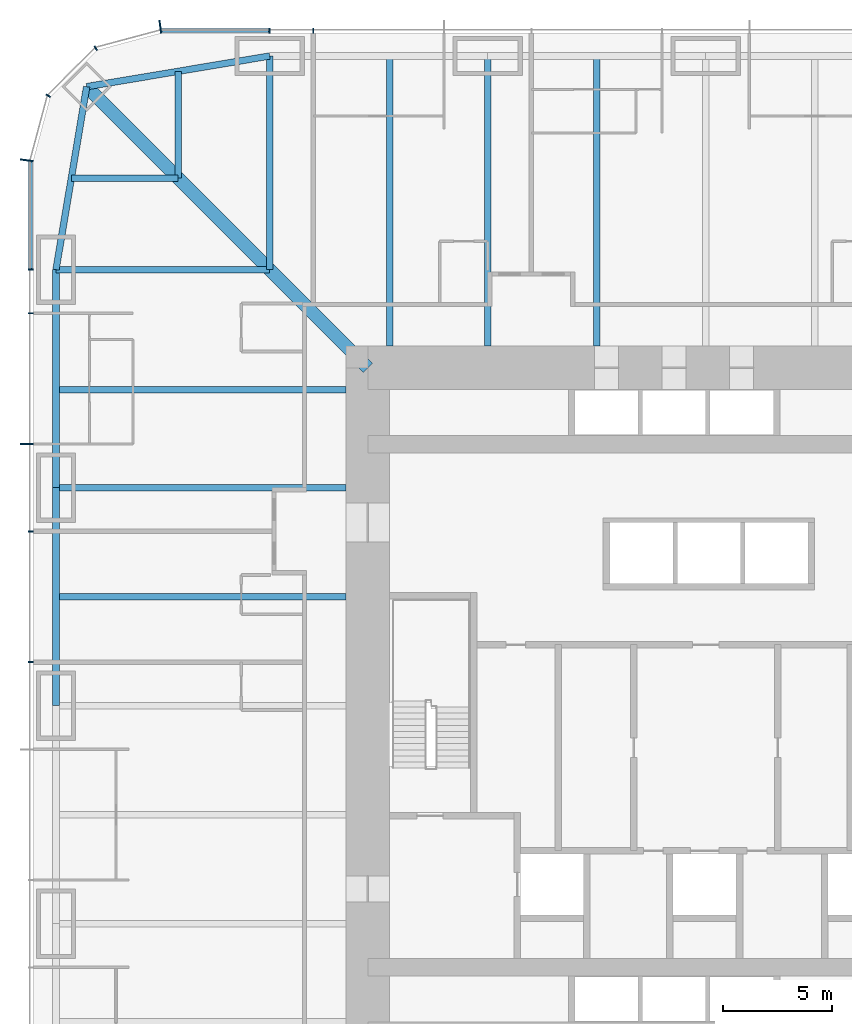
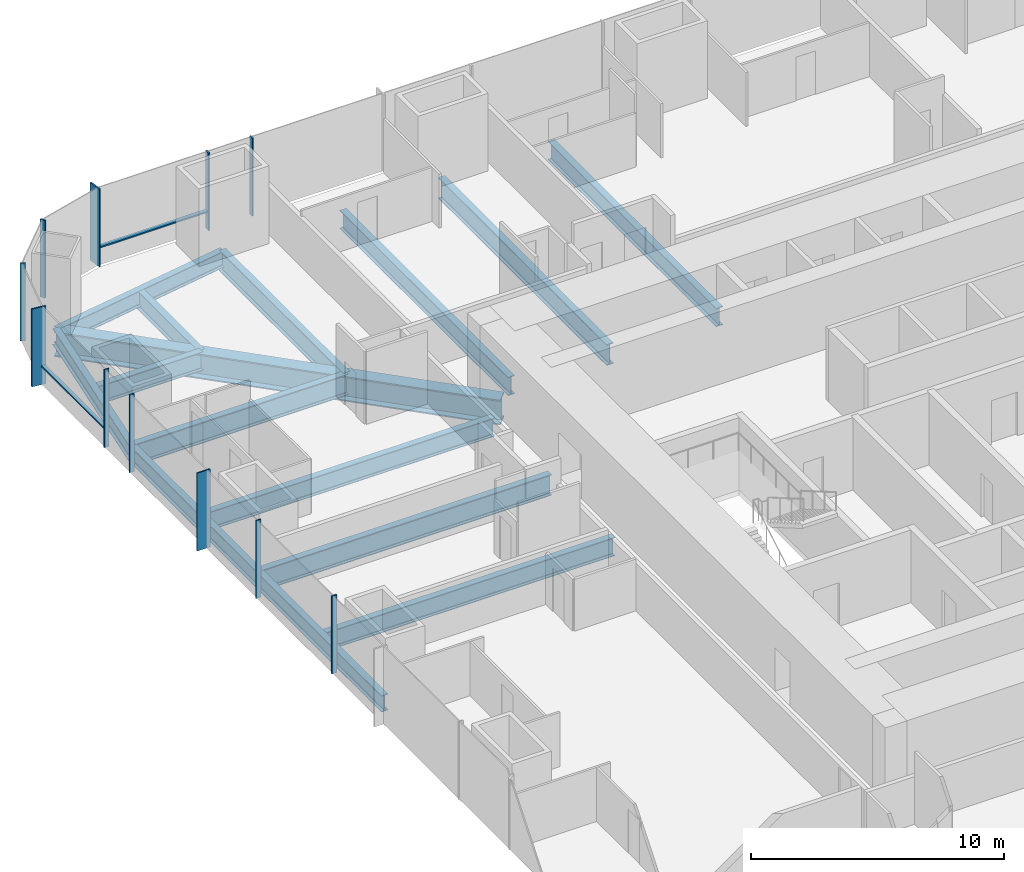
# One storey, part 6 of 17: 15 beams, 13 members, 3 elements without a shape of their own.
"""IFC4 building model written with IfcOpenShell, lengths in metres."""

import ifcopenshell
import ifcopenshell.guid

model = None  # the IFC model being written
_history = None  # IfcOwnerHistory: only IFC2X3 demands one
_inside = {}  # id of a spatial element -> (the spatial element, [elements in it])
_under = {}  # id of a project, library or spatial element -> (it, [spatial elements below it])
_declared = {}  # id of a project -> (the project, [libraries it declares])
_typed = {}  # id of a type object -> (the type object, [elements of that type])
_made_of = {}  # id of a material, layer set ... -> (it, [elements and type objects made of it])


def new_model(schema):
    """Start an empty IFC model of exactly this schema.

    Asked for "IFC4X3", IfcOpenShell would pick the latest addendum, in which some entities
    have other attributes; the version numbers below select the first issue.
    IFC2X3 requires an IfcOwnerHistory on every rooted entity: one is made here for all.
    """
    global model, _history
    if schema == "IFC4X3":
        model = ifcopenshell.file(schema_version=(4, 3, 0, 0))
    else:
        model = ifcopenshell.file(schema=schema)
    _inside.clear()
    _under.clear()
    _declared.clear()
    _typed.clear()
    _made_of.clear()
    _history = None
    if model.schema == "IFC2X3":
        org = make("IfcOrganization", Name="unknown")
        user = make(
            "IfcPersonAndOrganization",
            ThePerson=make("IfcPerson", FamilyName="unknown"),
            TheOrganization=org,
        )
        app = make(
            "IfcApplication",
            ApplicationDeveloper=org,
            Version="unknown",
            ApplicationFullName="unknown",
            ApplicationIdentifier="unknown",
        )
        _history = make(
            "IfcOwnerHistory",
            OwningUser=user,
            OwningApplication=app,
            ChangeAction="ADDED",
            CreationDate=0,
        )
    return model


def make(cls, **values):
    """One entity of the class cls with the attributes given. An attribute that is None is left unset."""
    return model.create_entity(
        cls, **{name: value for name, value in values.items() if value is not None}
    )


def rooted(cls, **values):
    """An entity with a GlobalId (a new one), such as an element, a storey or a relation."""
    return make(cls, GlobalId=ifcopenshell.guid.new(), OwnerHistory=_history, **values)


def si_unit(unit_type, name, prefix=None):
    """IfcSIUnit, for example si_unit("LENGTHUNIT", "METRE", prefix="MILLI")."""
    return make("IfcSIUnit", UnitType=unit_type, Prefix=prefix, Name=name)


def assignment(units):
    """IfcUnitAssignment: the units of a project."""
    return None if units is None else make("IfcUnitAssignment", Units=units)


def point(xyz):
    """IfcCartesianPoint."""
    return None if xyz is None else make("IfcCartesianPoint", Coordinates=xyz)


def direction(xyz):
    """IfcDirection."""
    return None if xyz is None else make("IfcDirection", DirectionRatios=xyz)


def frame(location, z_axis=None, x_axis=None):
    """IfcAxis2Placement3D, a coordinate frame: its origin and axes. An axis left out is left unset."""
    return make(
        "IfcAxis2Placement3D",
        Location=point(location),
        Axis=direction(z_axis),
        RefDirection=direction(x_axis),
    )


def frame_2d(location, x_axis=None):
    """IfcAxis2Placement2D, a coordinate frame in the plane: its origin and x axis."""
    return make(
        "IfcAxis2Placement2D", Location=point(location), RefDirection=direction(x_axis)
    )


def origin():
    """The frame at (0, 0, 0) with its axes left unset."""
    return frame((0.0, 0.0, 0.0))


def origin_2d():
    """The frame at (0, 0) in the plane with its x axis left unset."""
    return frame_2d((0.0, 0.0))


def place(relative_to, where):
    """IfcLocalPlacement: puts the frame where relative to a parent placement (None: the world)."""
    return make(
        "IfcLocalPlacement", PlacementRelTo=relative_to, RelativePlacement=where
    )


def context(
    kind, dimensions, precision=None, world=None, true_north=None, identifier=None
):
    """IfcGeometricRepresentationContext, for example the 3D "Model" context."""
    return make(
        "IfcGeometricRepresentationContext",
        ContextIdentifier=identifier,
        ContextType=kind,
        CoordinateSpaceDimension=dimensions,
        Precision=precision,
        WorldCoordinateSystem=world,
        TrueNorth=true_north,
    )


def subcontext(parent, identifier, kind, view, scale=None):
    """IfcGeometricRepresentationSubContext, for example "Body" below "Model"."""
    return make(
        "IfcGeometricRepresentationSubContext",
        ContextIdentifier=identifier,
        ContextType=kind,
        ParentContext=parent,
        TargetScale=scale,
        TargetView=view,
    )


def project(units=None, contexts=None):
    """IfcProject with its units and contexts."""
    return rooted(
        "IfcProject",
        Name="project",
        RepresentationContexts=contexts,
        UnitsInContext=assignment(units),
    )


def spatial(cls, under=None, at=None, **own):
    """A site, building, storey or space (cls), placed at a placement, below another one or the project."""
    s = rooted(cls, ObjectPlacement=at, **own)
    if under is not None:
        _under.setdefault(under.id(), (under, []))[1].append(s)
    return s


def profile(cls, at=None, kind="AREA", **sizes):
    """A parametric profile (cls). Its sizes go by their IFC names, for example OverallWidth=200.0."""
    return make(cls, ProfileType=kind, Position=at, **sizes)


def rectangle(**sizes):
    """IfcRectangleProfileDef."""
    return profile("IfcRectangleProfileDef", **sizes)


def i_section(**sizes):
    """IfcIShapeProfileDef."""
    return profile("IfcIShapeProfileDef", **sizes)


def extrude(swept, where, along, depth):
    """IfcExtrudedAreaSolid: the profile swept, set in the frame where, extruded along a direction by depth."""
    return make(
        "IfcExtrudedAreaSolid",
        SweptArea=swept,
        Position=where,
        ExtrudedDirection=direction(along),
        Depth=depth,
    )


def shape(context_of_items, identifier, shape_type, items):
    """IfcShapeRepresentation: the items that make up one representation, for example the "Body"."""
    return make(
        "IfcShapeRepresentation",
        ContextOfItems=context_of_items,
        RepresentationIdentifier=identifier,
        RepresentationType=shape_type,
        Items=items,
    )


def material(Name=None, Category=None):
    """IfcMaterial."""
    return make("IfcMaterial", Name=Name, Category=Category)


def material_profile(
    of_material, cross_section, Name=None, Category=None, Priority=None
):
    """IfcMaterialProfile: a cross section and its material."""
    return make(
        "IfcMaterialProfile",
        Name=Name,
        Material=of_material,
        Profile=cross_section,
        Priority=Priority,
        Category=Category,
    )


def profile_set(profiles, Name=None, composite=None):
    """IfcMaterialProfileSet."""
    return make(
        "IfcMaterialProfileSet",
        Name=Name,
        MaterialProfiles=profiles,
        CompositeProfile=composite,
    )


def made_of(thing, what):
    """Note that an element or type object is made of a material, layer set ...; save() writes the relation."""
    if what is not None:
        _made_of.setdefault(what.id(), (what, []))[1].append(thing)
    return thing


def type_object(cls, material=None, **own):
    """A type object (cls), such as IfcWallType, which elements share."""
    return made_of(rooted(cls, **own), material)


def element(
    cls,
    number,
    at=None,
    inside=None,
    cuts=None,
    type_object=None,
    material=None,
    context=None,
    identifier="Body",
    shape_type=None,
    held_by="IfcProductDefinitionShape",
    body=None,
    shapes=None,
    **own,
):
    """One element of the class cls, such as IfcWall. Its Tag is "e" and its number.

    at: its placement. inside: the storey or other place that contains it. cuts: it is an
    opening in that element (IfcRelVoidsElement). A single representation is given by context,
    identifier, shape_type and body (its items); several are given by shapes. held_by: the class
    of the entity that holds the representations. save() writes the other relations.
    """
    e = rooted(cls, Tag="e%d" % number, ObjectPlacement=at, **own)
    if body is not None:
        shapes = [shape(context, identifier, shape_type, body)]
    if shapes is not None:
        e.Representation = make(held_by, Representations=shapes)
    if inside is not None:
        _inside.setdefault(inside.id(), (inside, []))[1].append(e)
    if cuts is not None:
        rooted(
            "IfcRelVoidsElement", RelatingBuildingElement=cuts, RelatedOpeningElement=e
        )
    if type_object is not None:
        _typed.setdefault(type_object.id(), (type_object, []))[1].append(e)
    return made_of(e, material)


def aggregate(whole, parts):
    """IfcRelAggregates: a whole, such as a stair, and the parts it consists of."""
    return rooted("IfcRelAggregates", RelatingObject=whole, RelatedObjects=parts)


def save(model, path):
    """Write the relations noted so far, then the file.

    IfcRelAggregates (storeys below a building ...), IfcRelContainedInSpatialStructure (elements
    in a storey), IfcRelDefinesByType, IfcRelAssociatesMaterial and IfcRelDeclares: one each for
    every whole, place, type object, material and project.
    """
    for whole, parts in _under.values():
        aggregate(whole, parts)
    for where, things in _inside.values():
        rooted(
            "IfcRelContainedInSpatialStructure",
            RelatedElements=things,
            RelatingStructure=where,
        )
    for kind, things in _typed.values():
        rooted("IfcRelDefinesByType", RelatedObjects=things, RelatingType=kind)
    for what, things in _made_of.values():
        rooted("IfcRelAssociatesMaterial", RelatedObjects=things, RelatingMaterial=what)
    for by, libraries in _declared.values():
        rooted("IfcRelDeclares", RelatingContext=by, RelatedDefinitions=libraries)
    model.write(path)


model = new_model("IFC4")

# Units and contexts
model_context = context("Model", 3, precision=1e-05, world=origin(), true_north=direction((0.0, 1.0)))
body_context = subcontext(model_context, "Body", "Model", "MODEL_VIEW")
ifc_project = project(units=[si_unit("LENGTHUNIT", "METRE"), si_unit("AREAUNIT", "SQUARE_METRE"), si_unit("VOLUMEUNIT", "CUBIC_METRE"), si_unit("PLANEANGLEUNIT", "RADIAN"), si_unit("MASSUNIT", "GRAM", prefix="KILO")], contexts=[model_context])

# Site, building, storey
site_placement = place(None, origin())
site = spatial("IfcSite", under=ifc_project, at=site_placement, CompositionType="ELEMENT")
building_placement = place(site_placement, origin())
building = spatial("IfcBuilding", under=site, at=building_placement, Name="Khuree Lantern Residences", CompositionType="ELEMENT")
storey_placement = place(building_placement, frame((0.0, 0.0, 92.25)))
storey = spatial("IfcBuildingStorey", under=building, at=storey_placement, Name="L23", CompositionType="ELEMENT", Elevation=92.25)

# Beams
ifc_material_1 = material(Name="Steel S355", Category="steel")
ifc_material_profile_1 = material_profile(ifc_material_1, i_section(OverallWidth=0.300048828125, OverallDepth=0.889892578125, WebThickness=0.01611328125, FlangeThickness=0.030029296875, FilletRadius=0.030029296875, at=origin_2d()), Name="HE 900 A")
ifc_profile_set_1 = profile_set([ifc_material_profile_1], Name="Steel S355")
beam_type_1 = type_object("IfcBeamType", Name="B-15 SECONDARY BEAM HE 900 A", PredefinedType="BEAM", material=ifc_profile_set_1)
for number, where, z_axis, x_axis, name in (
    (1, (-14.5, 29.800048828125, -0.695068359375), (0.0, -1.0, 0.0), (1.0, 0.0, 0.0), "Secondary beam N1"),
    (2, (-5.0, 29.800048828125, -0.695068359375), (0.0, -1.0, 0.0), (1.0, 0.0, 0.0), "Secondary beam N2"),
    (3, (-29.800048828125, 5.0, -0.695068359375), (1.0, 0.0, 0.0), (0.0, 1.0, 0.0), "Secondary beam W4"),
    (4, (-29.800048828125, 14.5, -0.695068359375), (1.0, 0.0, 0.0), (0.0, 1.0, 0.0), "Secondary beam W5"),
):
    element("IfcBeam", number, at=place(storey_placement, frame(where, z_axis=z_axis, x_axis=x_axis)), inside=storey, type_object=beam_type_1, Name=name, PredefinedType="BEAM", context=body_context, shape_type="SweptSolid", body=[
        extrude(i_section(OverallWidth=0.300048828125, OverallDepth=0.889892578125, WebThickness=0.01611328125, FlangeThickness=0.030029296875, FilletRadius=0.030029296875, at=origin_2d()), origin(), (0.0, 0.0, 1.0), 13.300048828125),
    ])
for number, where, z_axis, x_axis, name in (
    (5, (-29.09716796875, 24.197021484375, -0.695068359375), (1.0, 0.0, 0.0), (0.0, 1.0, 0.0), "Secondary beam W6"),
    (6, (-24.197021484375, 29.09716796875, -0.695068359375), (0.0, -1.0, 0.0), (1.0, 0.0, 0.0), "Secondary beam N6"),
):
    element("IfcBeam", number, at=place(storey_placement, frame(where, z_axis=z_axis, x_axis=x_axis)), inside=storey, type_object=beam_type_1, Name=name, PredefinedType="BEAM", context=body_context, shape_type="SweptSolid", body=[
        extrude(i_section(OverallWidth=0.300048828125, OverallDepth=0.889892578125, WebThickness=0.01611328125, FlangeThickness=0.030029296875, FilletRadius=0.030029296875, at=origin_2d()), origin(), (0.0, 0.0, 1.0), 4.900146484375),
    ])
ifc_material_profile_2 = material_profile(ifc_material_1, i_section(OverallWidth=0.300048828125, OverallDepth=0.7900390625, WebThickness=0.014892578125, FlangeThickness=0.028076171875, FilletRadius=0.030029296875, at=origin_2d()), Name="HE 800 A")
ifc_profile_set_2 = profile_set([ifc_material_profile_2], Name="Steel S355")
beam_type_2 = type_object("IfcBeamType", Name="E-15 SPANDREL BEAM HE 800 A", PredefinedType="SPANDREL", material=ifc_profile_set_2)
for number, where, z_axis, x_axis, name in (
    (7, (-29.800048828125, 0.0, -0.64501953125), (0.0, 1.0, 0.0), (-1.0, 0.0, 0.0), "Spandrel beam W4"),
    (8, (-29.800048828125, 10.0, -0.64501953125), (0.0, 1.0, 0.0), (-1.0, 0.0, 0.0), "Spandrel beam W5"),
):
    element("IfcBeam", number, at=place(storey_placement, frame(where, z_axis=z_axis, x_axis=x_axis)), inside=storey, type_object=beam_type_2, Name=name, PredefinedType="SPANDREL", context=body_context, shape_type="SweptSolid", body=[
        extrude(i_section(OverallWidth=0.300048828125, OverallDepth=0.7900390625, WebThickness=0.014892578125, FlangeThickness=0.028076171875, FilletRadius=0.030029296875, at=origin_2d()), origin(), (0.0, 0.0, 1.0), 10.0),
    ])
for number, where, z_axis, x_axis, name in (
    (9, (-29.800048828125, 20.0, -0.64501953125), (0.165199022349, 0.986260251158, 0.0), (-0.986260251158, 0.165199022349, 0.0), "Spandrel beam W6"),
    (10, (-28.39404296875, 28.39404296875, -0.64501953125), (0.986260251158, 0.165199022349, 0.0), (-0.165199022349, 0.986260251158, 0.0), "Spandrel beam N6"),
):
    element("IfcBeam", number, at=place(storey_placement, frame(where, z_axis=z_axis, x_axis=x_axis)), inside=storey, type_object=beam_type_2, Name=name, PredefinedType="SPANDREL", context=body_context, shape_type="SweptSolid", body=[
        extrude(i_section(OverallWidth=0.300048828125, OverallDepth=0.7900390625, WebThickness=0.014892578125, FlangeThickness=0.028076171875, FilletRadius=0.030029296875, at=origin_2d()), origin(), (0.0, 0.0, 1.0), 8.510986328125),
    ])

# Curtain wall, member
ifc_material_2 = material(Name="Bronze anodised aluminium", Category="aluminium")
curtain_wall_type_1 = type_object("IfcCurtainWallType", Name="CW-T2 TOWER CORNER CURTAIN WALL", PredefinedType="USERDEFINED", material=ifc_material_2)
curtain_wall_1_placement = place(storey_placement, origin())
curtain_wall_1 = element("IfcCurtainWall", 11, at=curtain_wall_1_placement, inside=storey, type_object=curtain_wall_type_1, Name="L23 NORTH-WEST CORNER CURTAIN WALL", ObjectType="Faceted corner curtain wall", PredefinedType="USERDEFINED")
ifc_material_profile_3 = material_profile(ifc_material_2, rectangle(XDim=0.06494140625, YDim=0.60009765625, at=origin_2d()), Name="F1 65X600")
ifc_profile_set_3 = profile_set([ifc_material_profile_3], Name="Bronze anodised aluminium")
member_type_1 = type_object("IfcMemberType", Name="F1 BRONZE FIN MULLION TOWER 65X600", PredefinedType="MULLION", material=ifc_profile_set_3)
member_1_placement = place(storey_placement, frame((-25.019775390625, 31.150146484375, 0.0), z_axis=(0.0, 0.0, 1.0), x_axis=(-0.991444852794, -0.130526257387, 0.0)))
member_1 = element("IfcMember", 12, at=member_1_placement, type_object=member_type_1, Name="L23 NORTH-WEST CORNER FIN MULLION 29", PredefinedType="MULLION", context=body_context, shape_type="SweptSolid", body=[
    extrude(rectangle(XDim=0.06494140625, YDim=0.60009765625, at=origin_2d()), origin(), (0.0, 0.0, 1.0), 3.75),
])

# Curtain wall, members
curtain_wall_type_2 = type_object("IfcCurtainWallType", Name="CW-T1 TOWER FACE CURTAIN WALL", PredefinedType="USERDEFINED", material=ifc_material_2)
curtain_wall_2_placement = place(storey_placement, origin())
curtain_wall_2 = element("IfcCurtainWall", 13, at=curtain_wall_2_placement, inside=storey, type_object=curtain_wall_type_2, Name="L23 WEST FACE CURTAIN WALL", ObjectType="Stick-built curtain wall", PredefinedType="USERDEFINED")
member_2_placement = place(storey_placement, frame((-31.150146484375, 25.019775390625, 0.0), z_axis=(0.0, 0.0, 1.0), x_axis=(-0.130526257387, -0.991444852794, 0.0)))
member_2 = element("IfcMember", 14, at=member_2_placement, type_object=member_type_1, Name="L23 WEST FACE FIN MULLION 32", PredefinedType="MULLION", context=body_context, shape_type="SweptSolid", body=[
    extrude(rectangle(XDim=0.06494140625, YDim=0.60009765625, at=origin_2d()), origin(), (0.0, 0.0, 1.0), 3.75),
])
member_3_placement = place(storey_placement, frame((-31.14990234375, 12.0, 0.0), z_axis=(0.0, 0.0, 1.0), x_axis=(0.0, -1.0, 0.0)))
member_3 = element("IfcMember", 15, at=member_3_placement, type_object=member_type_1, Name="L23 WEST FACE FIN MULLION 35", PredefinedType="MULLION", context=body_context, shape_type="SweptSolid", body=[
    extrude(rectangle(XDim=0.06494140625, YDim=0.60009765625, at=origin_2d()), origin(), (0.0, 0.0, 1.0), 3.75),
])

# Beams
ifc_material_profile_4 = material_profile(ifc_material_1, i_section(OverallWidth=0.302001953125, OverallDepth=1.008056640625, WebThickness=0.02099609375, FlangeThickness=0.0400390625, FilletRadius=0.030029296875, at=origin_2d()), Name="HE 1000 M")
ifc_profile_set_4 = profile_set([ifc_material_profile_4], Name="Steel S355")
beam_type_3 = type_object("IfcBeamType", Name="G-15 GIRDER HE 1000 M", PredefinedType="BEAM", material=ifc_profile_set_4)
beam_1_placement = place(storey_placement, frame((-20.0, 29.800048828125, -0.75390625), z_axis=(0.0, -1.0, 0.0), x_axis=(1.0, 0.0, 0.0)))
element("IfcBeam", 16, at=beam_1_placement, inside=storey, type_object=beam_type_3, Name="Girder N1", PredefinedType="BEAM", context=body_context, shape_type="SweptSolid", body=[
    extrude(i_section(OverallWidth=0.302001953125, OverallDepth=1.008056640625, WebThickness=0.02099609375, FlangeThickness=0.0400390625, FilletRadius=0.030029296875, at=origin_2d()), origin(), (0.0, 0.0, 1.0), 9.800048828125),
])
for number, where, z_axis, x_axis, name in (
    (17, (-10.0, 29.800048828125, -0.75390625), (0.0, -1.0, 0.0), (1.0, 0.0, 0.0), "Girder N2"),
    (18, (-29.800048828125, 10.0, -0.75390625), (1.0, 0.0, 0.0), (0.0, 1.0, 0.0), "Girder W4"),
):
    element("IfcBeam", number, at=place(storey_placement, frame(where, z_axis=z_axis, x_axis=x_axis)), inside=storey, type_object=beam_type_3, Name=name, PredefinedType="BEAM", context=body_context, shape_type="SweptSolid", body=[
        extrude(i_section(OverallWidth=0.302001953125, OverallDepth=1.008056640625, WebThickness=0.02099609375, FlangeThickness=0.0400390625, FilletRadius=0.030029296875, at=origin_2d()), origin(), (0.0, 0.0, 1.0), 13.300048828125),
    ])
beam_2_placement = place(storey_placement, frame((-29.800048828125, 20.0, -0.75390625), z_axis=(1.0, 0.0, 0.0), x_axis=(0.0, 1.0, 0.0)))
element("IfcBeam", 19, at=beam_2_placement, inside=storey, type_object=beam_type_3, Name="Girder W5", PredefinedType="BEAM", context=body_context, shape_type="SweptSolid", body=[
    extrude(i_section(OverallWidth=0.302001953125, OverallDepth=1.008056640625, WebThickness=0.02099609375, FlangeThickness=0.0400390625, FilletRadius=0.030029296875, at=origin_2d()), origin(), (0.0, 0.0, 1.0), 9.800048828125),
])
ifc_material_profile_5 = material_profile(ifc_material_1, i_section(OverallWidth=0.60009765625, OverallDepth=1.199951171875, WebThickness=0.030029296875, FlangeThickness=0.06005859375, at=origin_2d()), Name="WELDED I 1200X600X30X60")
ifc_profile_set_5 = profile_set([ifc_material_profile_5], Name="Steel S355")
beam_type_4 = type_object("IfcBeamType", Name="GD-15 CORNER GIRDER WELDED I 1200X600X30X60", PredefinedType="BEAM", material=ifc_profile_set_5)
beam_3_placement = place(storey_placement, frame((-28.39404296875, 28.39404296875, -0.85009765625), z_axis=(0.707106781187, -0.707106781187, 0.0), x_axis=(0.707106781187, 0.707106781187, 0.0)))
element("IfcBeam", 20, at=beam_3_placement, inside=storey, type_object=beam_type_4, Name="Corner girder NW", PredefinedType="BEAM", context=body_context, shape_type="SweptSolid", body=[
    extrude(i_section(OverallWidth=0.60009765625, OverallDepth=1.199951171875, WebThickness=0.030029296875, FlangeThickness=0.06005859375, at=origin_2d()), origin(), (0.0, 0.0, 1.0), 18.23486328125),
])

# Curtain wall, members
curtain_wall_3_placement = place(storey_placement, origin())
curtain_wall_3 = element("IfcCurtainWall", 21, at=curtain_wall_3_placement, inside=storey, type_object=curtain_wall_type_2, Name="L23 NORTH FACE CURTAIN WALL", ObjectType="Stick-built curtain wall", PredefinedType="USERDEFINED")
ifc_material_profile_6 = material_profile(ifc_material_2, rectangle(XDim=0.06494140625, YDim=0.219970703125, at=origin_2d()), Name="M1 65X220")
ifc_profile_set_6 = profile_set([ifc_material_profile_6], Name="Bronze anodised aluminium")
member_type_2 = type_object("IfcMemberType", Name="M1 BRONZE MULLION TOWER 65X220", PredefinedType="MULLION", material=ifc_profile_set_6)
member_4_placement = place(storey_placement, frame((-18.0, 30.9599609375, 0.0), z_axis=(0.0, 0.0, 1.0), x_axis=(-1.0, 0.0, 0.0)))
member_4 = element("IfcMember", 22, at=member_4_placement, type_object=member_type_2, Name="L23 NORTH FACE MULLION 27", PredefinedType="MULLION", context=body_context, shape_type="SweptSolid", body=[
    extrude(rectangle(XDim=0.06494140625, YDim=0.219970703125, at=origin_2d()), origin(), (0.0, 0.0, 1.0), 3.75),
])
member_5_placement = place(storey_placement, frame((-20.0, 30.9599609375, 0.0), z_axis=(0.0, 0.0, 1.0), x_axis=(-1.0, 0.0, 0.0)))
member_5 = element("IfcMember", 23, at=member_5_placement, type_object=member_type_2, Name="L23 NORTH FACE MULLION 28", PredefinedType="MULLION", context=body_context, shape_type="SweptSolid", body=[
    extrude(rectangle(XDim=0.06494140625, YDim=0.219970703125, at=origin_2d()), origin(), (0.0, 0.0, 1.0), 3.75),
])

# Member
member_6_placement = place(storey_placement, frame((-27.97998046875, 30.16162109375, 0.0), z_axis=(0.0, 0.0, 1.0), x_axis=(-0.86602537092, -0.500000056923, 0.0)))
member_6 = element("IfcMember", 24, at=member_6_placement, type_object=member_type_2, Name="L23 NORTH-WEST CORNER MULLION 30", PredefinedType="MULLION", context=body_context, shape_type="SweptSolid", body=[
    extrude(rectangle(XDim=0.06494140625, YDim=0.219970703125, at=origin_2d()), origin(), (0.0, 0.0, 1.0), 3.75),
])

member_7_placement = place(storey_placement, frame((-30.16162109375, 27.97998046875, 0.0), z_axis=(0.0, 0.0, 1.0), x_axis=(-0.500000056923, -0.86602537092, 0.0)))
member_7 = element("IfcMember", 25, at=member_7_placement, type_object=member_type_2, Name="L23 NORTH-WEST CORNER MULLION 31", PredefinedType="MULLION", context=body_context, shape_type="SweptSolid", body=[
    extrude(rectangle(XDim=0.06494140625, YDim=0.219970703125, at=origin_2d()), origin(), (0.0, 0.0, 1.0), 3.75),
])

aggregate(curtain_wall_1, [member_1, member_6, member_7])

member_8_placement = place(storey_placement, frame((-30.9599609375, 20.0, 0.0), z_axis=(0.0, 0.0, 1.0), x_axis=(0.0, -1.0, 0.0)))
member_8 = element("IfcMember", 26, at=member_8_placement, type_object=member_type_2, Name="L23 WEST FACE MULLION 33", PredefinedType="MULLION", context=body_context, shape_type="SweptSolid", body=[
    extrude(rectangle(XDim=0.06494140625, YDim=0.219970703125, at=origin_2d()), origin(), (0.0, 0.0, 1.0), 3.75),
])

member_9_placement = place(storey_placement, frame((-30.9599609375, 18.0, 0.0), z_axis=(0.0, 0.0, 1.0), x_axis=(0.0, -1.0, 0.0)))
member_9 = element("IfcMember", 27, at=member_9_placement, type_object=member_type_2, Name="L23 WEST FACE MULLION 34", PredefinedType="MULLION", context=body_context, shape_type="SweptSolid", body=[
    extrude(rectangle(XDim=0.06494140625, YDim=0.219970703125, at=origin_2d()), origin(), (0.0, 0.0, 1.0), 3.75),
])

member_10_placement = place(storey_placement, frame((-30.9599609375, 8.0, 0.0), z_axis=(0.0, 0.0, 1.0), x_axis=(0.0, -1.0, 0.0)))
member_10 = element("IfcMember", 28, at=member_10_placement, type_object=member_type_2, Name="L23 WEST FACE MULLION 36", PredefinedType="MULLION", context=body_context, shape_type="SweptSolid", body=[
    extrude(rectangle(XDim=0.06494140625, YDim=0.219970703125, at=origin_2d()), origin(), (0.0, 0.0, 1.0), 3.75),
])

member_11_placement = place(storey_placement, frame((-30.9599609375, 2.0, 0.0), z_axis=(0.0, 0.0, 1.0), x_axis=(0.0, -1.0, 0.0)))
member_11 = element("IfcMember", 29, at=member_11_placement, type_object=member_type_2, Name="L23 WEST FACE MULLION 37", PredefinedType="MULLION", context=body_context, shape_type="SweptSolid", body=[
    extrude(rectangle(XDim=0.06494140625, YDim=0.219970703125, at=origin_2d()), origin(), (0.0, 0.0, 1.0), 3.75),
])

ifc_material_profile_7 = material_profile(ifc_material_2, rectangle(XDim=0.179931640625, YDim=0.06494140625, at=origin_2d()), Name="T1 180X65")
ifc_profile_set_7 = profile_set([ifc_material_profile_7], Name="Bronze anodised aluminium")
member_type_3 = type_object("IfcMemberType", Name="TRANSOM T1 TOWER 180X65", PredefinedType="USERDEFINED", material=ifc_profile_set_7)
member_12_placement = place(storey_placement, frame((-20.032470703125, 30.969970703125, 0.89990234375), z_axis=(-1.0, 0.0, 0.0), x_axis=(0.0, -1.0, 0.0)))
member_12 = element("IfcMember", 30, at=member_12_placement, type_object=member_type_3, Name="L23 NORTH FACE TRANSOM 28.1", ObjectType="Transom", PredefinedType="USERDEFINED", context=body_context, shape_type="SweptSolid", body=[
    extrude(rectangle(XDim=0.179931640625, YDim=0.06494140625, at=origin_2d()), origin(), (0.0, 0.0, 1.0), 4.9189453125),
])

aggregate(curtain_wall_3, [member_4, member_5, member_12])

member_13_placement = place(storey_placement, frame((-30.969970703125, 24.951416015625, 0.89990234375), z_axis=(0.0, -1.0, 0.0), x_axis=(1.0, 0.0, 0.0)))
member_13 = element("IfcMember", 31, at=member_13_placement, type_object=member_type_3, Name="L23 WEST FACE TRANSOM 32.1", ObjectType="Transom", PredefinedType="USERDEFINED", context=body_context, shape_type="SweptSolid", body=[
    extrude(rectangle(XDim=0.179931640625, YDim=0.06494140625, at=origin_2d()), origin(), (0.0, 0.0, 1.0), 4.9189453125),
])

aggregate(curtain_wall_2, [member_2, member_8, member_9, member_3, member_10, member_11, member_13])

save(model, "model.ifc")
